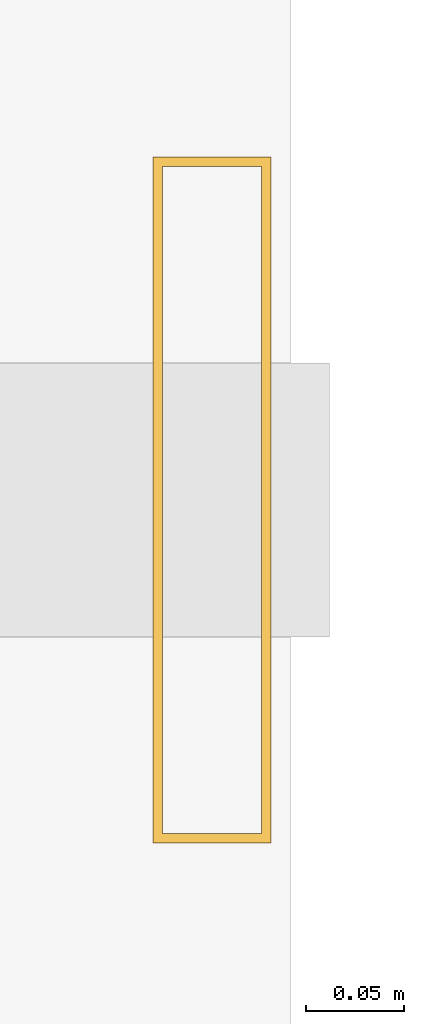
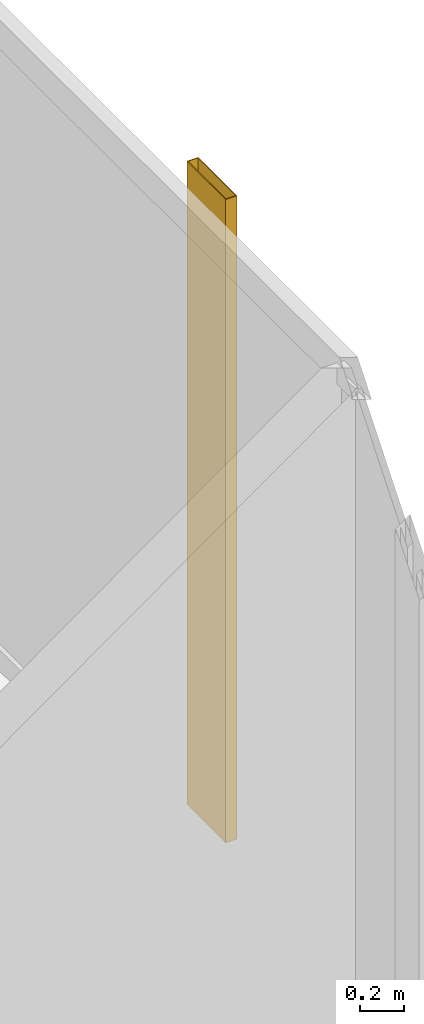
# One storey, part 27 of 27: 1 shading device.
"""IFC4 building model written with IfcOpenShell, lengths in metres."""

from ifc_helpers import new_model, si_unit, direction, frame, origin, origin_2d, place, context, subcontext, project, spatial, hollow_rectangle, extrude, material, material_profile, profile_set, type_object, element, save


model = new_model("IFC4")

# Units and contexts
model_context = context("Model", 3, precision=1e-05, world=origin(), true_north=direction((0.0, 1.0)))
body_context = subcontext(model_context, "Body", "Model", "MODEL_VIEW")
ifc_project = project(units=[si_unit("LENGTHUNIT", "METRE"), si_unit("AREAUNIT", "SQUARE_METRE"), si_unit("VOLUMEUNIT", "CUBIC_METRE"), si_unit("PLANEANGLEUNIT", "RADIAN"), si_unit("MASSUNIT", "GRAM", prefix="KILO")], contexts=[model_context])

# Site, building, storey
site_placement = place(None, origin())
site = spatial("IfcSite", under=ifc_project, at=site_placement, CompositionType="ELEMENT")
building_placement = place(site_placement, origin())
building = spatial("IfcBuilding", under=site, at=building_placement, Name="Kolvaren Waterfront Exchange", CompositionType="ELEMENT")
storey_placement = place(building_placement, frame((0.0, 0.0, 118.300048828125)))
storey = spatial("IfcBuildingStorey", under=building, at=storey_placement, Name="L30", CompositionType="ELEMENT", Elevation=118.300048828125)

# Shading device
ifc_material = material(Name="Anodised bronze aluminium 6063-T6", Category="aluminium")
ifc_material_profile = material_profile(ifc_material, hollow_rectangle(XDim=0.06005859375, YDim=0.35009765625, WallThickness=0.0048828125, at=origin_2d()), Name="BRZ-FIN-350x60x5")
ifc_profile_set = profile_set([ifc_material_profile], Name="Anodised bronze aluminium 6063-T6")
shading_device_type = type_object("IfcShadingDeviceType", Name="ARC-FIN-350", PredefinedType="USERDEFINED", material=ifc_profile_set)
shading_device_placement = place(storey_placement, frame((23.9599609375, 38.39990234375, 0.0), z_axis=(0.0, 0.0, 1.0), x_axis=(1.0, 0.0, 0.0)))
element("IfcShadingDevice", 1, at=shading_device_placement, inside=storey, type_object=shading_device_type, Name="L30 anodised bronze solar shading fin FIN-L30-E3", ObjectType="SOLAR FIN", PredefinedType="USERDEFINED", context=body_context, shape_type="SweptSolid", body=[
    extrude(hollow_rectangle(XDim=0.06005859375, YDim=0.35009765625, WallThickness=0.0048828125, at=origin_2d()), origin(), (0.0, 0.0, 1.0), 3.5400390625),
])

save(model, "model.ifc")
